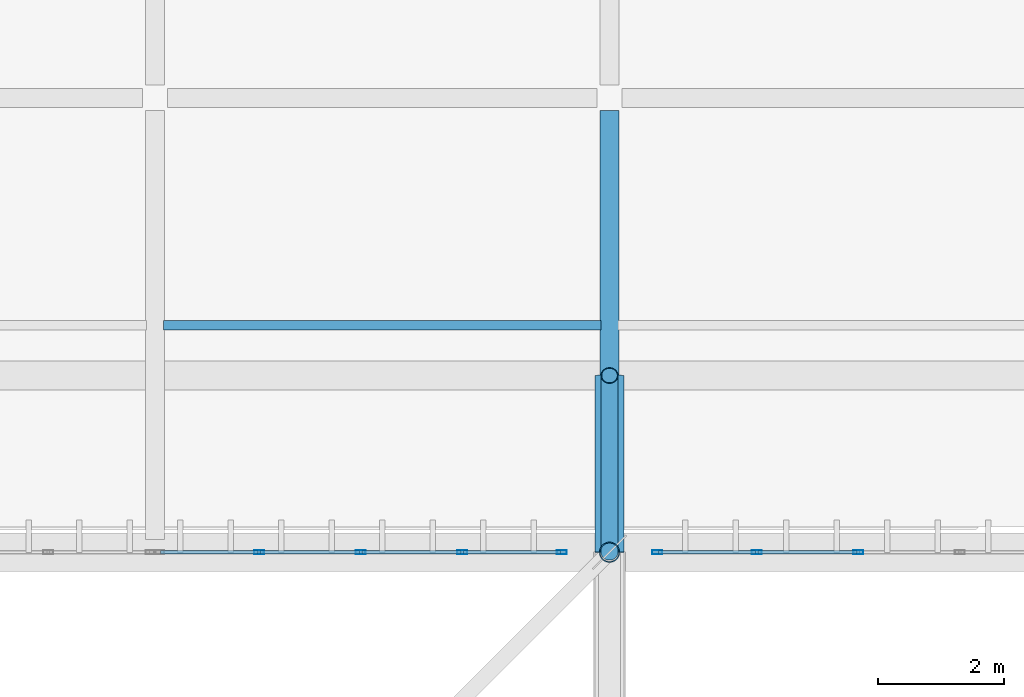
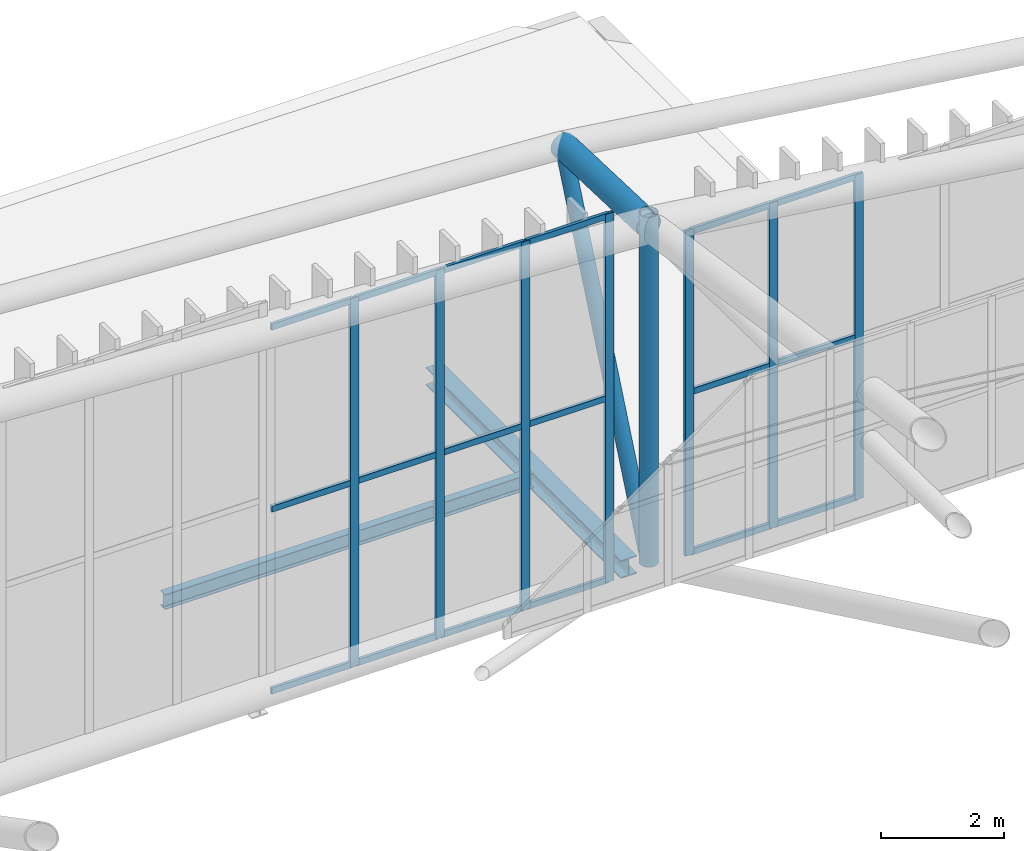
# One storey, part 329 of 397: 27 members, 3 beams, 2 elements without a shape of their own.
"""IFC4 building model written with IfcOpenShell, lengths in metres."""

from ifc_helpers import new_model, si_unit, direction, frame, origin, origin_2d, place, context, subcontext, project, spatial, hollow_rectangle, hollow_circle, i_section, extrude, material, material_profile, profile_set, type_object, element, aggregate, save


model = new_model("IFC4")

# Units and contexts
model_context = context("Model", 3, precision=1e-05, world=origin(), true_north=direction((0.0, 1.0)))
body_context = subcontext(model_context, "Body", "Model", "MODEL_VIEW")
ifc_project = project(units=[si_unit("LENGTHUNIT", "METRE"), si_unit("AREAUNIT", "SQUARE_METRE"), si_unit("VOLUMEUNIT", "CUBIC_METRE"), si_unit("PLANEANGLEUNIT", "RADIAN"), si_unit("MASSUNIT", "GRAM", prefix="KILO")], contexts=[model_context])

# Site, building, storey
site_placement = place(None, origin())
site = spatial("IfcSite", under=ifc_project, at=site_placement, CompositionType="ELEMENT")
building_placement = place(site_placement, origin())
building = spatial("IfcBuilding", under=site, at=building_placement, Name="Qandorah Velis Arena", CompositionType="ELEMENT")
storey_placement = place(building_placement, frame((0.0, 0.0, 27.5)))
storey = spatial("IfcBuildingStorey", under=building, at=storey_placement, Name="RF", CompositionType="ELEMENT", Elevation=27.5)

# Curtain wall, members
ifc_material_1 = material(Name="Solar-control low-E double glazing", Category="glass")
curtain_wall_type = type_object("IfcCurtainWallType", Name="ARC-CW-SYS06", PredefinedType="USERDEFINED", material=ifc_material_1)
curtain_wall_1_placement = place(storey_placement, origin())
curtain_wall_1 = element("IfcCurtainWall", 1, at=curtain_wall_1_placement, inside=storey, type_object=curtain_wall_type, Name="Unitised curtain wall CROWN-4-05S2", ObjectType="UNITISED CURTAIN WALL", PredefinedType="USERDEFINED")
ifc_material_2 = material(Name="Champagne-bronze anodized aluminium 6063-T6", Category="aluminium")
ifc_material_profile_1 = material_profile(ifc_material_2, hollow_rectangle(XDim=0.06005859375, YDim=0.159912109375, WallThickness=0.00341796875, at=origin_2d()), Name="ALU MULLION 60x160")
ifc_profile_set_1 = profile_set([ifc_material_profile_1], Name="Champagne-bronze anodized aluminium 6063-T6")
member_type_1 = type_object("IfcMemberType", Name="ARC-CWM-160", PredefinedType="MULLION", material=ifc_profile_set_1)
member_1_placement = place(storey_placement, frame((80.8486328125, 115.199951171875, -0.014892578125), z_axis=(0.0, 0.0, 1.0), x_axis=(0.0, 1.0, 0.0)))
member_1 = element("IfcMember", 2, at=member_1_placement, type_object=member_type_1, Name="CW06 mullion 2", PredefinedType="MULLION", context=body_context, shape_type="SweptSolid", body=[
    extrude(hollow_rectangle(XDim=0.06005859375, YDim=0.159912109375, WallThickness=0.00341796875, at=origin_2d()), origin(), (0.0, 0.0, 1.0), 7.32958984375),
])
member_2_placement = place(storey_placement, frame((82.45751953125, 115.199951171875, -0.014892578125), z_axis=(0.0, 0.0, 1.0), x_axis=(0.0, 1.0, 0.0)))
member_2 = element("IfcMember", 3, at=member_2_placement, type_object=member_type_1, Name="CW06 mullion 3", PredefinedType="MULLION", context=body_context, shape_type="SweptSolid", body=[
    extrude(hollow_rectangle(XDim=0.06005859375, YDim=0.159912109375, WallThickness=0.00341796875, at=origin_2d()), origin(), (0.0, 0.0, 1.0), 7.32958984375),
])
member_3_placement = place(storey_placement, frame((84.066162109375, 115.199951171875, -0.014892578125), z_axis=(0.0, 0.0, 1.0), x_axis=(0.0, 1.0, 0.0)))
member_3 = element("IfcMember", 4, at=member_3_placement, type_object=member_type_1, Name="CW06 mullion 4", PredefinedType="MULLION", context=body_context, shape_type="SweptSolid", body=[
    extrude(hollow_rectangle(XDim=0.06005859375, YDim=0.159912109375, WallThickness=0.00341796875, at=origin_2d()), origin(), (0.0, 0.0, 1.0), 7.32958984375),
])
member_4_placement = place(storey_placement, frame((85.64501953125, 115.199951171875, -0.014892578125), z_axis=(0.0, 0.0, 1.0), x_axis=(0.0, 1.0, 0.0)))
member_4 = element("IfcMember", 5, at=member_4_placement, type_object=member_type_1, Name="CW06 mullion 5", PredefinedType="MULLION", context=body_context, shape_type="SweptSolid", body=[
    extrude(hollow_rectangle(XDim=0.06005859375, YDim=0.159912109375, WallThickness=0.00341796875, at=origin_2d()), origin(), (0.0, 0.0, 1.0), 7.32958984375),
])

curtain_wall_2_placement = place(storey_placement, origin())
curtain_wall_2 = element("IfcCurtainWall", 6, at=curtain_wall_2_placement, inside=storey, type_object=curtain_wall_type, Name="Unitised curtain wall CROWN-4-06S1", ObjectType="UNITISED CURTAIN WALL", PredefinedType="USERDEFINED")
member_5_placement = place(storey_placement, frame((87.155029296875, 115.199951171875, -0.014892578125), z_axis=(0.0, 0.0, 1.0), x_axis=(0.0, 1.0, 0.0)))
member_5 = element("IfcMember", 7, at=member_5_placement, type_object=member_type_1, Name="CW06 mullion 1", PredefinedType="MULLION", context=body_context, shape_type="SweptSolid", body=[
    extrude(hollow_rectangle(XDim=0.06005859375, YDim=0.159912109375, WallThickness=0.00341796875, at=origin_2d()), origin(), (0.0, 0.0, 1.0), 6.469482421875),
])
member_6_placement = place(storey_placement, frame((88.733642578125, 115.199951171875, -0.014892578125), z_axis=(0.0, 0.0, 1.0), x_axis=(0.0, 1.0, 0.0)))
member_6 = element("IfcMember", 8, at=member_6_placement, type_object=member_type_1, Name="CW06 mullion 2", PredefinedType="MULLION", context=body_context, shape_type="SweptSolid", body=[
    extrude(hollow_rectangle(XDim=0.06005859375, YDim=0.159912109375, WallThickness=0.00341796875, at=origin_2d()), origin(), (0.0, 0.0, 1.0), 6.469482421875),
])
member_7_placement = place(storey_placement, frame((90.342529296875, 115.199951171875, -0.014892578125), z_axis=(0.0, 0.0, 1.0), x_axis=(0.0, 1.0, 0.0)))
member_7 = element("IfcMember", 9, at=member_7_placement, type_object=member_type_1, Name="CW06 mullion 3", PredefinedType="MULLION", context=body_context, shape_type="SweptSolid", body=[
    extrude(hollow_rectangle(XDim=0.06005859375, YDim=0.159912109375, WallThickness=0.00341796875, at=origin_2d()), origin(), (0.0, 0.0, 1.0), 6.469482421875),
])

# Member
ifc_material_profile_2 = material_profile(ifc_material_2, hollow_rectangle(XDim=0.06005859375, YDim=0.1201171875, WallThickness=0.0029296875, at=origin_2d()), Name="ALU TRANSOM 60x120")
ifc_profile_set_2 = profile_set([ifc_material_profile_2], Name="Champagne-bronze anodized aluminium 6063-T6")
member_type_2 = type_object("IfcMemberType", Name="ARC-CWT-120", PredefinedType="USERDEFINED", material=ifc_profile_set_2)
member_8_placement = place(storey_placement, frame((79.2880859375, 115.199951171875, 0.030029296875), z_axis=(1.0, 0.0, 0.0), x_axis=(0.0, 1.0, 0.0)))
member_8 = element("IfcMember", 10, at=member_8_placement, type_object=member_type_2, Name="CW06 transom 1.1", ObjectType="TRANSOM", PredefinedType="USERDEFINED", context=body_context, shape_type="SweptSolid", body=[
    extrude(hollow_rectangle(XDim=0.06005859375, YDim=0.1201171875, WallThickness=0.0029296875, at=origin_2d()), origin(), (0.0, 0.0, 1.0), 1.542724609375),
])

member_9_placement = place(storey_placement, frame((79.2880859375, 115.199951171875, 3.64990234375), z_axis=(1.0, 0.0, 0.0), x_axis=(0.0, 1.0, 0.0)))
member_9 = element("IfcMember", 11, at=member_9_placement, type_object=member_type_2, Name="CW06 transom 1.2", ObjectType="TRANSOM", PredefinedType="USERDEFINED", context=body_context, shape_type="SweptSolid", body=[
    extrude(hollow_rectangle(XDim=0.06005859375, YDim=0.1201171875, WallThickness=0.0029296875, at=origin_2d()), origin(), (0.0, 0.0, 1.0), 1.542724609375),
])

member_10_placement = place(storey_placement, frame((79.2880859375, 115.199951171875, 7.269775390625), z_axis=(1.0, 0.0, 0.0), x_axis=(0.0, 1.0, 0.0)))
member_10 = element("IfcMember", 12, at=member_10_placement, type_object=member_type_2, Name="CW06 transom 1.3", ObjectType="TRANSOM", PredefinedType="USERDEFINED", context=body_context, shape_type="SweptSolid", body=[
    extrude(hollow_rectangle(XDim=0.06005859375, YDim=0.1201171875, WallThickness=0.0029296875, at=origin_2d()), origin(), (0.0, 0.0, 1.0), 1.542724609375),
])

member_11_placement = place(storey_placement, frame((80.86669921875, 115.199951171875, 0.030029296875), z_axis=(1.0, 0.0, 0.0), x_axis=(0.0, 1.0, 0.0)))
member_11 = element("IfcMember", 13, at=member_11_placement, type_object=member_type_2, Name="CW06 transom 2.1", ObjectType="TRANSOM", PredefinedType="USERDEFINED", context=body_context, shape_type="SweptSolid", body=[
    extrude(hollow_rectangle(XDim=0.06005859375, YDim=0.1201171875, WallThickness=0.0029296875, at=origin_2d()), origin(), (0.0, 0.0, 1.0), 1.57275390625),
])

member_12_placement = place(storey_placement, frame((80.86669921875, 115.199951171875, 3.64990234375), z_axis=(1.0, 0.0, 0.0), x_axis=(0.0, 1.0, 0.0)))
member_12 = element("IfcMember", 14, at=member_12_placement, type_object=member_type_2, Name="CW06 transom 2.2", ObjectType="TRANSOM", PredefinedType="USERDEFINED", context=body_context, shape_type="SweptSolid", body=[
    extrude(hollow_rectangle(XDim=0.06005859375, YDim=0.1201171875, WallThickness=0.0029296875, at=origin_2d()), origin(), (0.0, 0.0, 1.0), 1.57275390625),
])

member_13_placement = place(storey_placement, frame((80.86669921875, 115.199951171875, 7.269775390625), z_axis=(1.0, 0.0, 0.0), x_axis=(0.0, 1.0, 0.0)))
member_13 = element("IfcMember", 15, at=member_13_placement, type_object=member_type_2, Name="CW06 transom 2.3", ObjectType="TRANSOM", PredefinedType="USERDEFINED", context=body_context, shape_type="SweptSolid", body=[
    extrude(hollow_rectangle(XDim=0.06005859375, YDim=0.1201171875, WallThickness=0.0029296875, at=origin_2d()), origin(), (0.0, 0.0, 1.0), 1.57275390625),
])

member_14_placement = place(storey_placement, frame((82.4755859375, 115.199951171875, 0.030029296875), z_axis=(1.0, 0.0, 0.0), x_axis=(0.0, 1.0, 0.0)))
member_14 = element("IfcMember", 16, at=member_14_placement, type_object=member_type_2, Name="CW06 transom 3.1", ObjectType="TRANSOM", PredefinedType="USERDEFINED", context=body_context, shape_type="SweptSolid", body=[
    extrude(hollow_rectangle(XDim=0.06005859375, YDim=0.1201171875, WallThickness=0.0029296875, at=origin_2d()), origin(), (0.0, 0.0, 1.0), 1.572509765625),
])

member_15_placement = place(storey_placement, frame((82.4755859375, 115.199951171875, 3.64990234375), z_axis=(1.0, 0.0, 0.0), x_axis=(0.0, 1.0, 0.0)))
member_15 = element("IfcMember", 17, at=member_15_placement, type_object=member_type_2, Name="CW06 transom 3.2", ObjectType="TRANSOM", PredefinedType="USERDEFINED", context=body_context, shape_type="SweptSolid", body=[
    extrude(hollow_rectangle(XDim=0.06005859375, YDim=0.1201171875, WallThickness=0.0029296875, at=origin_2d()), origin(), (0.0, 0.0, 1.0), 1.572509765625),
])

member_16_placement = place(storey_placement, frame((82.4755859375, 115.199951171875, 7.269775390625), z_axis=(1.0, 0.0, 0.0), x_axis=(0.0, 1.0, 0.0)))
member_16 = element("IfcMember", 18, at=member_16_placement, type_object=member_type_2, Name="CW06 transom 3.3", ObjectType="TRANSOM", PredefinedType="USERDEFINED", context=body_context, shape_type="SweptSolid", body=[
    extrude(hollow_rectangle(XDim=0.06005859375, YDim=0.1201171875, WallThickness=0.0029296875, at=origin_2d()), origin(), (0.0, 0.0, 1.0), 1.572509765625),
])

member_17_placement = place(storey_placement, frame((84.084228515625, 115.199951171875, 0.030029296875), z_axis=(1.0, 0.0, 0.0), x_axis=(0.0, 1.0, 0.0)))
member_17 = element("IfcMember", 19, at=member_17_placement, type_object=member_type_2, Name="CW06 transom 4.1", ObjectType="TRANSOM", PredefinedType="USERDEFINED", context=body_context, shape_type="SweptSolid", body=[
    extrude(hollow_rectangle(XDim=0.06005859375, YDim=0.1201171875, WallThickness=0.0029296875, at=origin_2d()), origin(), (0.0, 0.0, 1.0), 1.542724609375),
])

member_18_placement = place(storey_placement, frame((84.084228515625, 115.199951171875, 3.64990234375), z_axis=(1.0, 0.0, 0.0), x_axis=(0.0, 1.0, 0.0)))
member_18 = element("IfcMember", 20, at=member_18_placement, type_object=member_type_2, Name="CW06 transom 4.2", ObjectType="TRANSOM", PredefinedType="USERDEFINED", context=body_context, shape_type="SweptSolid", body=[
    extrude(hollow_rectangle(XDim=0.06005859375, YDim=0.1201171875, WallThickness=0.0029296875, at=origin_2d()), origin(), (0.0, 0.0, 1.0), 1.542724609375),
])

member_19_placement = place(storey_placement, frame((84.084228515625, 115.199951171875, 7.269775390625), z_axis=(1.0, 0.0, 0.0), x_axis=(0.0, 1.0, 0.0)))
member_19 = element("IfcMember", 21, at=member_19_placement, type_object=member_type_2, Name="CW06 transom 4.3", ObjectType="TRANSOM", PredefinedType="USERDEFINED", context=body_context, shape_type="SweptSolid", body=[
    extrude(hollow_rectangle(XDim=0.06005859375, YDim=0.1201171875, WallThickness=0.0029296875, at=origin_2d()), origin(), (0.0, 0.0, 1.0), 1.542724609375),
])

aggregate(curtain_wall_1, [member_1, member_2, member_3, member_4, member_8, member_9, member_10, member_11, member_12, member_13, member_14, member_15, member_16, member_17, member_18, member_19])

member_20_placement = place(storey_placement, frame((87.173095703125, 115.199951171875, 0.030029296875), z_axis=(1.0, 0.0, 0.0), x_axis=(0.0, 1.0, 0.0)))
member_20 = element("IfcMember", 22, at=member_20_placement, type_object=member_type_2, Name="CW06 transom 1.1", ObjectType="TRANSOM", PredefinedType="USERDEFINED", context=body_context, shape_type="SweptSolid", body=[
    extrude(hollow_rectangle(XDim=0.06005859375, YDim=0.1201171875, WallThickness=0.0029296875, at=origin_2d()), origin(), (0.0, 0.0, 1.0), 1.542724609375),
])

member_21_placement = place(storey_placement, frame((87.173095703125, 115.199951171875, 3.219970703125), z_axis=(1.0, 0.0, 0.0), x_axis=(0.0, 1.0, 0.0)))
member_21 = element("IfcMember", 23, at=member_21_placement, type_object=member_type_2, Name="CW06 transom 1.2", ObjectType="TRANSOM", PredefinedType="USERDEFINED", context=body_context, shape_type="SweptSolid", body=[
    extrude(hollow_rectangle(XDim=0.06005859375, YDim=0.1201171875, WallThickness=0.0029296875, at=origin_2d()), origin(), (0.0, 0.0, 1.0), 1.542724609375),
])

member_22_placement = place(storey_placement, frame((87.173095703125, 115.199951171875, 6.40966796875), z_axis=(1.0, 0.0, 0.0), x_axis=(0.0, 1.0, 0.0)))
member_22 = element("IfcMember", 24, at=member_22_placement, type_object=member_type_2, Name="CW06 transom 1.3", ObjectType="TRANSOM", PredefinedType="USERDEFINED", context=body_context, shape_type="SweptSolid", body=[
    extrude(hollow_rectangle(XDim=0.06005859375, YDim=0.1201171875, WallThickness=0.0029296875, at=origin_2d()), origin(), (0.0, 0.0, 1.0), 1.542724609375),
])

member_23_placement = place(storey_placement, frame((88.751708984375, 115.199951171875, 0.030029296875), z_axis=(1.0, 0.0, 0.0), x_axis=(0.0, 1.0, 0.0)))
member_23 = element("IfcMember", 25, at=member_23_placement, type_object=member_type_2, Name="CW06 transom 2.1", ObjectType="TRANSOM", PredefinedType="USERDEFINED", context=body_context, shape_type="SweptSolid", body=[
    extrude(hollow_rectangle(XDim=0.06005859375, YDim=0.1201171875, WallThickness=0.0029296875, at=origin_2d()), origin(), (0.0, 0.0, 1.0), 1.57275390625),
])

member_24_placement = place(storey_placement, frame((88.751708984375, 115.199951171875, 3.219970703125), z_axis=(1.0, 0.0, 0.0), x_axis=(0.0, 1.0, 0.0)))
member_24 = element("IfcMember", 26, at=member_24_placement, type_object=member_type_2, Name="CW06 transom 2.2", ObjectType="TRANSOM", PredefinedType="USERDEFINED", context=body_context, shape_type="SweptSolid", body=[
    extrude(hollow_rectangle(XDim=0.06005859375, YDim=0.1201171875, WallThickness=0.0029296875, at=origin_2d()), origin(), (0.0, 0.0, 1.0), 1.57275390625),
])

member_25_placement = place(storey_placement, frame((88.751708984375, 115.199951171875, 6.40966796875), z_axis=(1.0, 0.0, 0.0), x_axis=(0.0, 1.0, 0.0)))
member_25 = element("IfcMember", 27, at=member_25_placement, type_object=member_type_2, Name="CW06 transom 2.3", ObjectType="TRANSOM", PredefinedType="USERDEFINED", context=body_context, shape_type="SweptSolid", body=[
    extrude(hollow_rectangle(XDim=0.06005859375, YDim=0.1201171875, WallThickness=0.0029296875, at=origin_2d()), origin(), (0.0, 0.0, 1.0), 1.57275390625),
])

aggregate(curtain_wall_2, [member_5, member_6, member_7, member_20, member_21, member_22, member_23, member_24, member_25])

# Beams
ifc_material_3 = material(Name="Steel S355", Category="steel")
ifc_material_profile_3 = material_profile(ifc_material_3, i_section(OverallWidth=0.300048828125, OverallDepth=0.360107421875, WebThickness=0.012451171875, FlangeThickness=0.0224609375, FilletRadius=0.027099609375, at=origin_2d()), Name="HEB 360")
ifc_profile_set_3 = profile_set([ifc_material_profile_3], Name="Steel S355")
beam_type_1 = type_object("IfcBeamType", Name="STR-BM-HEB360", PredefinedType="BEAM", material=ifc_profile_set_3)
beam_1_placement = place(storey_placement, frame((86.39990234375, 115.85009765625, -0.39990234375), z_axis=(0.0, 1.0, 0.0), x_axis=(-1.0, 0.0, 0.0)))
element("IfcBeam", 28, at=beam_1_placement, inside=storey, type_object=beam_type_1, Name="Primary floor girder RF Y-121", PredefinedType="BEAM", context=body_context, shape_type="SweptSolid", body=[
    extrude(i_section(OverallWidth=0.300048828125, OverallDepth=0.360107421875, WebThickness=0.012451171875, FlangeThickness=0.0224609375, FilletRadius=0.027099609375, at=origin_2d()), origin(), (0.0, 0.0, 1.0), 6.349853515625),
])
ifc_material_profile_4 = material_profile(ifc_material_3, i_section(OverallWidth=0.14990234375, OverallDepth=0.300048828125, WebThickness=0.007080078125, FlangeThickness=0.0107421875, FilletRadius=0.014892578125, at=origin_2d()), Name="IPE 300")
ifc_profile_set_4 = profile_set([ifc_material_profile_4], Name="Steel S355")
beam_type_2 = type_object("IfcBeamType", Name="STR-JST-IPE300", PredefinedType="JOIST", material=ifc_profile_set_4)
beam_2_placement = place(storey_placement, frame((79.3349609375, 118.800048828125, -0.3701171875), z_axis=(1.0, 0.0, 0.0), x_axis=(0.0, 1.0, 0.0)))
element("IfcBeam", 29, at=beam_2_placement, inside=storey, type_object=beam_type_2, Name="Secondary floor joist RF-043", PredefinedType="JOIST", context=body_context, shape_type="SweptSolid", body=[
    extrude(i_section(OverallWidth=0.14990234375, OverallDepth=0.300048828125, WebThickness=0.007080078125, FlangeThickness=0.0107421875, FilletRadius=0.014892578125, at=origin_2d()), origin(), (0.0, 0.0, 1.0), 6.929931640625),
])
ifc_material_profile_5 = material_profile(ifc_material_3, hollow_circle(Radius=0.228515625, WallThickness=0.01611328125, at=origin_2d()), Name="CHS 457x16")
ifc_profile_set_5 = profile_set([ifc_material_profile_5], Name="Steel S355")
beam_type_3 = type_object("IfcBeamType", Name="STR-SFC-CHS457X16", PredefinedType="USERDEFINED", material=ifc_profile_set_5)
beam_3_placement = place(storey_placement, frame((86.39990234375, 115.199951171875, 6.79931640625), z_axis=(0.0, 0.99936163275, -0.035725718844), x_axis=(-1.0, 0.0, 0.0)))
element("IfcBeam", 30, at=beam_3_placement, inside=storey, type_object=beam_type_3, Name="Space frame eave outrigger N-5", ObjectType="ROOF TRUSS", PredefinedType="USERDEFINED", context=body_context, shape_type="SweptSolid", body=[
    extrude(hollow_circle(Radius=0.228515625, WallThickness=0.01611328125, at=origin_2d()), origin(), (0.0, 0.0, 1.0), 2.8017578125),
])

# Members
ifc_material_profile_6 = material_profile(ifc_material_3, hollow_circle(Radius=0.136474609375, WallThickness=0.012451171875, at=origin_2d()), Name="CHS 273x12.5")
ifc_profile_set_6 = profile_set([ifc_material_profile_6], Name="Steel S355")
member_type_3 = type_object("IfcMemberType", Name="STR-SFD-CHS273X12", PredefinedType="STRUT", material=ifc_profile_set_6)
member_26_placement = place(storey_placement, frame((86.39990234375, 115.199951171875, 0.10009765625), z_axis=(0.0, 0.390599699366, 0.920560630733), x_axis=(-1.0, 0.0, 0.0)))
element("IfcMember", 31, at=member_26_placement, inside=storey, type_object=member_type_3, Name="Space frame eave raking strut N-5", PredefinedType="STRUT", context=body_context, shape_type="SweptSolid", body=[
    extrude(hollow_circle(Radius=0.136474609375, WallThickness=0.012451171875, at=origin_2d()), origin(), (0.0, 0.0, 1.0), 7.168701171875),
])
ifc_material_profile_7 = material_profile(ifc_material_3, hollow_circle(Radius=0.161865234375, WallThickness=0.01611328125, at=origin_2d()), Name="CHS 323.9x16")
ifc_profile_set_7 = profile_set([ifc_material_profile_7], Name="Steel S355")
member_type_4 = type_object("IfcMemberType", Name="STR-SFD-CHS323X16", PredefinedType="CHORD", material=ifc_profile_set_7)
member_27_placement = place(storey_placement, frame((86.39990234375, 115.199951171875, 0.10009765625), z_axis=(0.0, 0.0, 1.0), x_axis=(1.0, 0.0, 0.0)))
element("IfcMember", 32, at=member_27_placement, inside=storey, type_object=member_type_4, Name="Space frame roof vertical post 5.7", PredefinedType="CHORD", context=body_context, shape_type="SweptSolid", body=[
    extrude(hollow_circle(Radius=0.161865234375, WallThickness=0.01611328125, at=origin_2d()), origin(), (0.0, 0.0, 1.0), 6.958984375),
])

save(model, "model.ifc")
